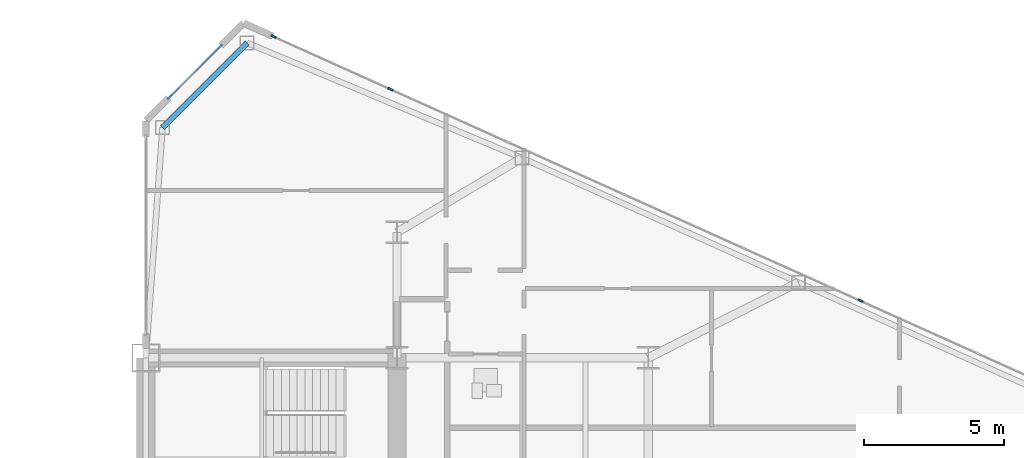
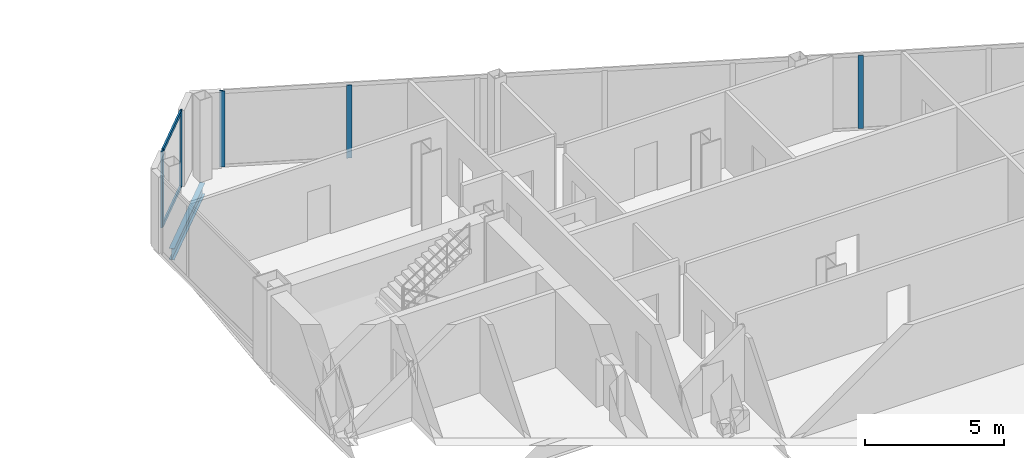
# One storey, part 15 of 27: 7 members, 1 beam, 2 elements without a shape of their own.
"""IFC4 building model written with IfcOpenShell, lengths in metres."""

from ifc_helpers import new_model, si_unit, direction, frame, origin, origin_2d, place, context, subcontext, project, spatial, rectangle, i_section, extrude, source, transform, mapped, material, layer, layer_set, material_profile, profile_set, type_object, type_shapes, element, aggregate, save


model = new_model("IFC4")

# Units and contexts
model_context = context("Model", 3, precision=1e-05, world=origin(), true_north=direction((0.0, 1.0)))
body_context = subcontext(model_context, "Body", "Model", "MODEL_VIEW")
ifc_project = project(units=[si_unit("LENGTHUNIT", "METRE"), si_unit("AREAUNIT", "SQUARE_METRE"), si_unit("VOLUMEUNIT", "CUBIC_METRE"), si_unit("PLANEANGLEUNIT", "RADIAN"), si_unit("MASSUNIT", "GRAM", prefix="KILO")], contexts=[model_context])

# Site, building, storey
site_placement = place(None, origin())
site = spatial("IfcSite", under=ifc_project, at=site_placement, CompositionType="ELEMENT")
building_placement = place(site_placement, origin())
building = spatial("IfcBuilding", under=site, at=building_placement, Name="Seokmaru Belvedere", CompositionType="ELEMENT")
storey_placement = place(building_placement, frame((0.0, 0.0, 83.699951171875)))
storey = spatial("IfcBuildingStorey", under=building, at=storey_placement, Name="L22", CompositionType="ELEMENT", Elevation=83.699951171875)

# Beam
ifc_material_1 = material(Name="Steel SM355 (355 MPa)", Category="steel")
ifc_material_profile_1 = material_profile(ifc_material_1, i_section(OverallWidth=0.199951171875, OverallDepth=0.5, WebThickness=0.010009765625, FlangeThickness=0.01611328125, at=origin_2d()), Name="H-500x200x10x16")
ifc_profile_set_1 = profile_set([ifc_material_profile_1], Name="Steel SM355 (355 MPa)")
beam_type = type_object("IfcBeamType", Name="Perimeter Spandrel Beam H-500", PredefinedType="SPANDREL", material=ifc_profile_set_1)
shared_shape_1 = source(origin(), body_context, "Body", "SweptSolid", [
    extrude(i_section(OverallWidth=0.199951171875, OverallDepth=0.5, WebThickness=0.010009765625, FlangeThickness=0.01611328125, at=origin_2d()), origin(), (0.0, 0.0, 1.0), 4.287109375),
])
type_shapes(beam_type, [shared_shape_1])
beam_placement = place(storey_placement, frame((31.13134765625, 24.782958984375, -0.469970703125), z_axis=(-0.707078306132, -0.707135255094, 0.0), x_axis=(0.707135255094, -0.707078306132, 0.0)))
element("IfcBeam", 1, at=beam_placement, inside=storey, type_object=beam_type, Name="L22 E Shoulder Chamfer Spandrel N", PredefinedType="SPANDREL", context=body_context, shape_type="MappedRepresentation", body=[
    mapped(shared_shape_1, transform((0.0, 0.0, 0.0), scale=1.0)),
])

# Curtain wall, members
ifc_material_2 = material(Name="Bronze Triple Insulating Glass", Category="glass")
ifc_layer = layer(ifc_material_2, 0.195068359375)
ifc_layer_set = layer_set([ifc_layer], Name="Bronze Triple Insulating Glass")
curtain_wall_type = type_object("IfcCurtainWallType", Name="Lower-Mid Tapered Curtain Wall System CW-3", PredefinedType="NOTDEFINED", material=ifc_layer_set)
curtain_wall_1_placement = place(storey_placement, origin())
curtain_wall_1 = element("IfcCurtainWall", 2, at=curtain_wall_1_placement, inside=storey, type_object=curtain_wall_type, Name="L22 Curtain Wall EF4", PredefinedType="NOTDEFINED")
ifc_material_3 = material(Name="Anodised Bronze Aluminium", Category="aluminium")
ifc_material_profile_2 = material_profile(ifc_material_3, rectangle(XDim=0.070068359375, YDim=0.1650390625, at=origin_2d()), Name="CW-T-70x165")
ifc_profile_set_2 = profile_set([ifc_material_profile_2], Name="Anodised Bronze Aluminium")
member_type_1 = type_object("IfcMemberType", Name="Bronze Unitised Transom 70x165", PredefinedType="USERDEFINED", material=ifc_profile_set_2)
shared_shape_2 = source(origin(), body_context, "Body", "SweptSolid", [
    extrude(rectangle(XDim=0.070068359375, YDim=0.1650390625, at=origin_2d()), origin(), (0.0, 0.0, 1.0), 2.509521484375),
])
type_shapes(member_type_1, [shared_shape_2])
member_1_placement = place(storey_placement, frame((30.13720703125, 24.63720703125, 0.03515625), z_axis=(-0.707106781187, -0.707106781187, 0.0), x_axis=(0.707106781187, -0.707106781187, 0.0)))
member_1 = element("IfcMember", 3, at=member_1_placement, type_object=member_type_1, Name="CW:L22:EF4 Continuous Transom 1", ObjectType="TRANSOM", PredefinedType="USERDEFINED", context=body_context, shape_type="MappedRepresentation", body=[
    mapped(shared_shape_2, transform((0.0, 0.0, 0.0), scale=1.0)),
])
member_2_placement = place(storey_placement, frame((30.13720703125, 24.63720703125, 3.304931640625), z_axis=(-0.707106781187, -0.707106781187, 0.0), x_axis=(0.707106781187, -0.707106781187, 0.0)))
member_2 = element("IfcMember", 4, at=member_2_placement, type_object=member_type_1, Name="CW:L22:EF4 Continuous Transom 2", ObjectType="TRANSOM", PredefinedType="USERDEFINED", context=body_context, shape_type="MappedRepresentation", body=[
    mapped(shared_shape_2, transform((0.0, 0.0, 0.0), scale=1.0)),
])

# Curtain wall, member
curtain_wall_2_placement = place(storey_placement, origin())
curtain_wall_2 = element("IfcCurtainWall", 5, at=curtain_wall_2_placement, inside=storey, type_object=curtain_wall_type, Name="L22 Curtain Wall EF3", PredefinedType="NOTDEFINED")
ifc_material_profile_3 = material_profile(ifc_material_3, rectangle(XDim=0.070068359375, YDim=0.195068359375, at=origin_2d()), Name="CW-M-70x195")
ifc_profile_set_3 = profile_set([ifc_material_profile_3], Name="Anodised Bronze Aluminium")
member_type_2 = type_object("IfcMemberType", Name="Bronze Unitised Mullion 70x195", PredefinedType="MULLION", material=ifc_profile_set_3)
shared_shape_3 = source(origin(), body_context, "Body", "SweptSolid", [
    extrude(rectangle(XDim=0.070068359375, YDim=0.195068359375, at=origin_2d()), origin(), (0.0, 0.0, 1.0), 3.340087890625),
])
member_3_placement = place(storey_placement, frame((32.08056640625, 25.013671875, 0.0), z_axis=(0.0, 0.0, 1.0), x_axis=(-0.41036554765, -0.91192111353, 0.0)))
member_3 = element("IfcMember", 6, at=member_3_placement, type_object=member_type_2, Name="CW:L22:EF3 Mullion 10", PredefinedType="MULLION", context=body_context, shape_type="MappedRepresentation", body=[
    mapped(shared_shape_3, transform((0.0, 0.0, 0.0), scale=1.0)),
])

# Member
member_4_placement = place(storey_placement, frame((30.162109375, 24.662109375, 0.0), z_axis=(0.0, 0.0, 1.0), x_axis=(0.707106781187, -0.707106781187, 0.0)))
member_4 = element("IfcMember", 7, at=member_4_placement, type_object=member_type_2, Name="CW:L22:EF4 Mullion 1", PredefinedType="MULLION", context=body_context, shape_type="MappedRepresentation", body=[
    mapped(shared_shape_3, transform((0.0, 0.0, 0.0), scale=1.0)),
])

member_5_placement = place(storey_placement, frame((28.337890625, 22.837890625, 0.0), z_axis=(0.0, 0.0, 1.0), x_axis=(0.707106781187, -0.707106781187, 0.0)))
member_5 = element("IfcMember", 8, at=member_5_placement, type_object=member_type_2, Name="CW:L22:EF4 Mullion 2", PredefinedType="MULLION", context=body_context, shape_type="MappedRepresentation", body=[
    mapped(shared_shape_3, transform((0.0, 0.0, 0.0), scale=1.0)),
])

aggregate(curtain_wall_1, [member_4, member_5, member_1, member_2])

shared_shape_4 = source(origin(), body_context, "Body", "SweptSolid", [
    extrude(rectangle(XDim=0.070068359375, YDim=0.195068359375, at=origin_2d()), origin(), (0.0, 0.0, 1.0), 3.199951171875),
])
type_shapes(member_type_2, [shared_shape_3, shared_shape_4])
member_6_placement = place(storey_placement, frame((53.105712890625, 15.552490234375, 0.070068359375), z_axis=(0.0, 0.0, 1.0), x_axis=(-0.41036554765, -0.91192111353, 0.0)))
member_6 = element("IfcMember", 9, at=member_6_placement, type_object=member_type_2, Name="CW:L22:EF3 Mullion 5", PredefinedType="MULLION", context=body_context, shape_type="MappedRepresentation", body=[
    mapped(shared_shape_4, transform((0.0, 0.0, 0.0), scale=1.0)),
])

member_7_placement = place(storey_placement, frame((36.260009765625, 23.133056640625, 0.070068359375), z_axis=(0.0, 0.0, 1.0), x_axis=(-0.41036554765, -0.91192111353, 0.0)))
member_7 = element("IfcMember", 10, at=member_7_placement, type_object=member_type_2, Name="CW:L22:EF3 Mullion 9", PredefinedType="MULLION", context=body_context, shape_type="MappedRepresentation", body=[
    mapped(shared_shape_4, transform((0.0, 0.0, 0.0), scale=1.0)),
])

aggregate(curtain_wall_2, [member_6, member_7, member_3])

save(model, "model.ifc")
